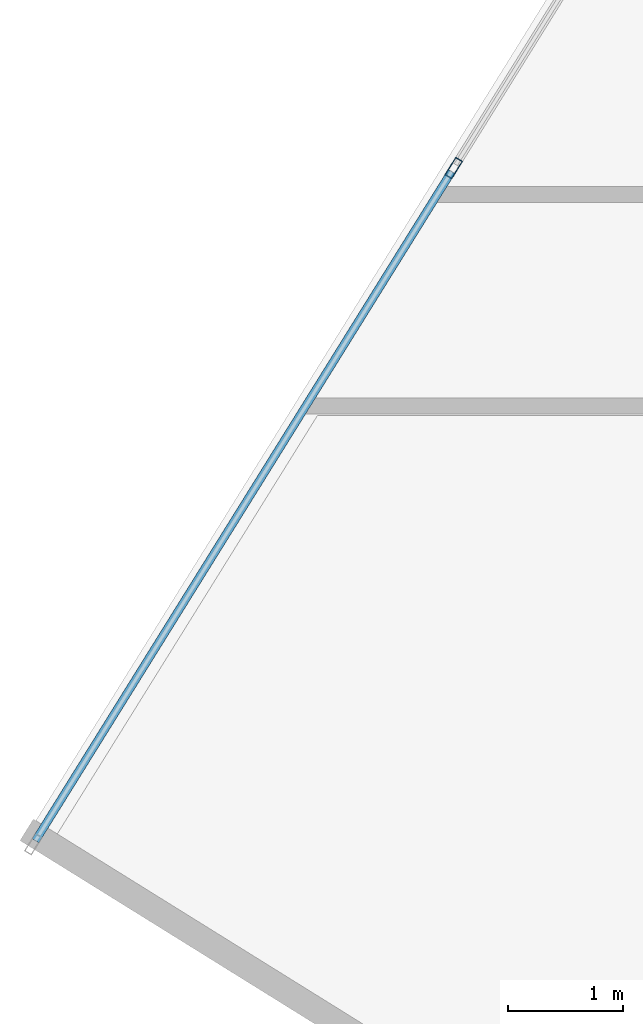
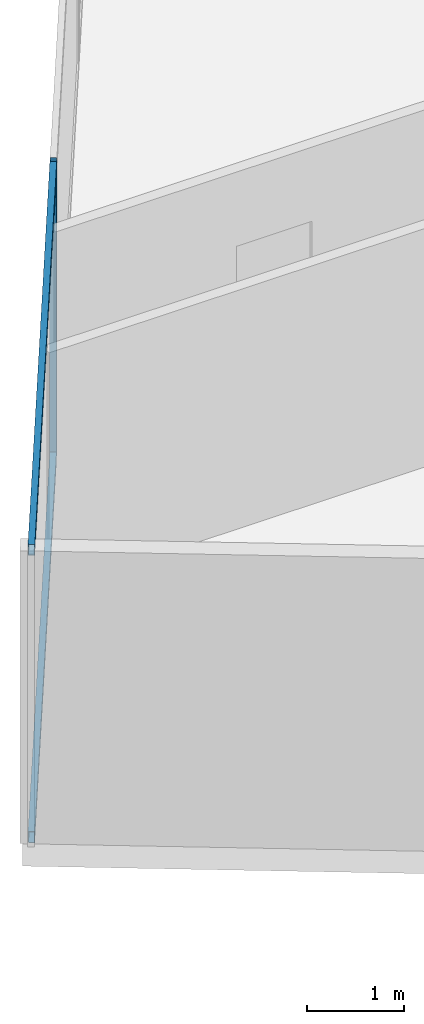
# One storey, part 7 of 26: 3 members, 1 element without a shape of its own.
"""IFC4 building model written with IfcOpenShell, lengths in metres."""

from ifc_helpers import new_model, si_unit, direction, frame, origin, origin_2d, place, context, subcontext, project, spatial, hollow_rectangle, extrude, source, transform, mapped, material, material_profile, profile_set, type_object, type_shapes, element, aggregate, save


model = new_model("IFC4")

# Units and contexts
model_context = context("Model", 3, precision=1e-05, world=origin(), true_north=direction((0.0, 1.0)))
body_context = subcontext(model_context, "Body", "Model", "MODEL_VIEW")
ifc_project = project(units=[si_unit("LENGTHUNIT", "METRE"), si_unit("AREAUNIT", "SQUARE_METRE"), si_unit("VOLUMEUNIT", "CUBIC_METRE"), si_unit("PLANEANGLEUNIT", "RADIAN"), si_unit("MASSUNIT", "GRAM", prefix="KILO")], contexts=[model_context])

# Site, building, storey
site_placement = place(None, origin())
site = spatial("IfcSite", under=ifc_project, at=site_placement, CompositionType="ELEMENT")
building_placement = place(site_placement, origin())
building = spatial("IfcBuilding", under=site, at=building_placement, Name="Krantzveldt Concourse Tower", CompositionType="ELEMENT")
storey_placement = place(building_placement, frame((0.0, 0.0, 173.85009765625)))
storey = spatial("IfcBuildingStorey", under=building, at=storey_placement, Name="L42", CompositionType="ELEMENT", Elevation=173.85009765625)

# Curtain wall, members
ifc_material = material(Name="Anodised aluminium 6063-T6", Category="aluminium")
curtain_wall_type = type_object("IfcCurtainWallType", Name="CW3", PredefinedType="USERDEFINED", material=ifc_material)
curtain_wall_placement = place(storey_placement, origin())
curtain_wall = element("IfcCurtainWall", 1, at=curtain_wall_placement, inside=storey, type_object=curtain_wall_type, Name="CW-L42-F01", ObjectType="UNITISED CURTAIN WALL", PredefinedType="USERDEFINED")
ifc_material_profile_1 = material_profile(ifc_material, hollow_rectangle(XDim=0.070068359375, YDim=0.179931640625, WallThickness=0.0048828125, at=origin_2d()), Name="Anodised aluminium 6063-T6", Category="aluminium")
ifc_profile_set_1 = profile_set([ifc_material_profile_1], Name="Anodised aluminium 6063-T6 - ALU-MULL 180x70x5")
member_type_1 = type_object("IfcMemberType", Name="CW-MUL-180", PredefinedType="MULLION", material=ifc_profile_set_1)
shared_shape_1 = source(origin(), body_context, "Body", "SweptSolid", [
    extrude(hollow_rectangle(XDim=0.070068359375, YDim=0.179931640625, WallThickness=0.0048828125, at=origin_2d()), origin(), (0.0, 0.0, 1.0), 3.669921875),
])
type_shapes(member_type_1, [shared_shape_1])
member_1_placement = place(storey_placement, frame((11.9658203125, 29.3515625, 0.0), z_axis=(0.0, 0.0, 1.0), x_axis=(0.84920214961, -0.528067901977, 0.0)))
member_1 = element("IfcMember", 2, at=member_1_placement, type_object=member_type_1, Name="CW-Z34 mullion 5", PredefinedType="MULLION", context=body_context, shape_type="MappedRepresentation", body=[
    mapped(shared_shape_1, transform((0.0, 0.0, 0.0), x_axis=(1.0, 0.0, 0.0), y_axis=(0.0, 1.0, 0.0), z_axis=(0.0, 0.0, 1.0), scale=1.0)),
])
ifc_material_profile_2 = material_profile(ifc_material, hollow_rectangle(XDim=0.070068359375, YDim=0.139892578125, WallThickness=0.0048828125, at=origin_2d()), Name="Anodised aluminium 6063-T6", Category="aluminium")
ifc_profile_set_2 = profile_set([ifc_material_profile_2], Name="Anodised aluminium 6063-T6 - ALU-TRAN 140x70x5")
member_type_2 = type_object("IfcMemberType", Name="CW-TRN-150", PredefinedType="USERDEFINED", material=ifc_profile_set_2)
shared_shape_2 = source(origin(), body_context, "Body", "SweptSolid", [
    extrude(hollow_rectangle(XDim=0.070068359375, YDim=0.139892578125, WallThickness=0.0048828125, at=origin_2d()), origin(), (0.0, 0.0, 1.0), 6.855224609375),
])
type_shapes(member_type_2, [shared_shape_2])
member_2_placement = place(storey_placement, frame((11.947509765625, 29.32177734375, 0.034912109375), z_axis=(-0.528089629534, -0.849188638159, 0.0), x_axis=(0.849188638159, -0.528089629534, 0.0)))
member_2 = element("IfcMember", 3, at=member_2_placement, type_object=member_type_2, Name="CW-Z34 transom 5.1", ObjectType="TRANSOM", PredefinedType="USERDEFINED", context=body_context, shape_type="MappedRepresentation", body=[
    mapped(shared_shape_2, transform((0.0, 0.0, 0.0), x_axis=(1.0, 0.0, 0.0), y_axis=(0.0, 1.0, 0.0), z_axis=(0.0, 0.0, 1.0), scale=1.0)),
])
member_3_placement = place(storey_placement, frame((11.947509765625, 29.32177734375, 3.635009765625), z_axis=(-0.528089629534, -0.849188638159, 0.0), x_axis=(0.849188638159, -0.528089629534, 0.0)))
member_3 = element("IfcMember", 4, at=member_3_placement, type_object=member_type_2, Name="CW-Z34 transom 5.2", ObjectType="TRANSOM", PredefinedType="USERDEFINED", context=body_context, shape_type="MappedRepresentation", body=[
    mapped(shared_shape_2, transform((0.0, 0.0, 0.0), x_axis=(1.0, 0.0, 0.0), y_axis=(0.0, 1.0, 0.0), z_axis=(0.0, 0.0, 1.0), scale=1.0)),
])
aggregate(curtain_wall, [member_1, member_2, member_3])

save(model, "model.ifc")
